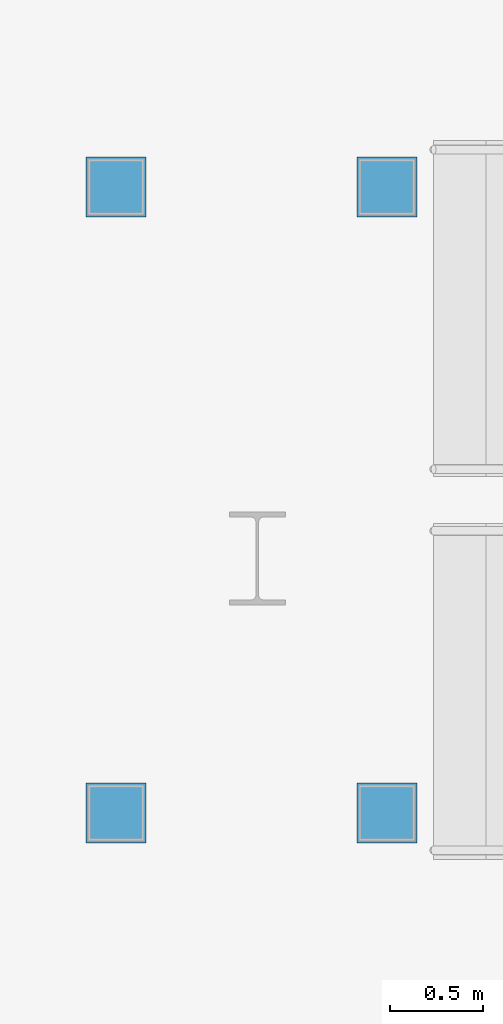
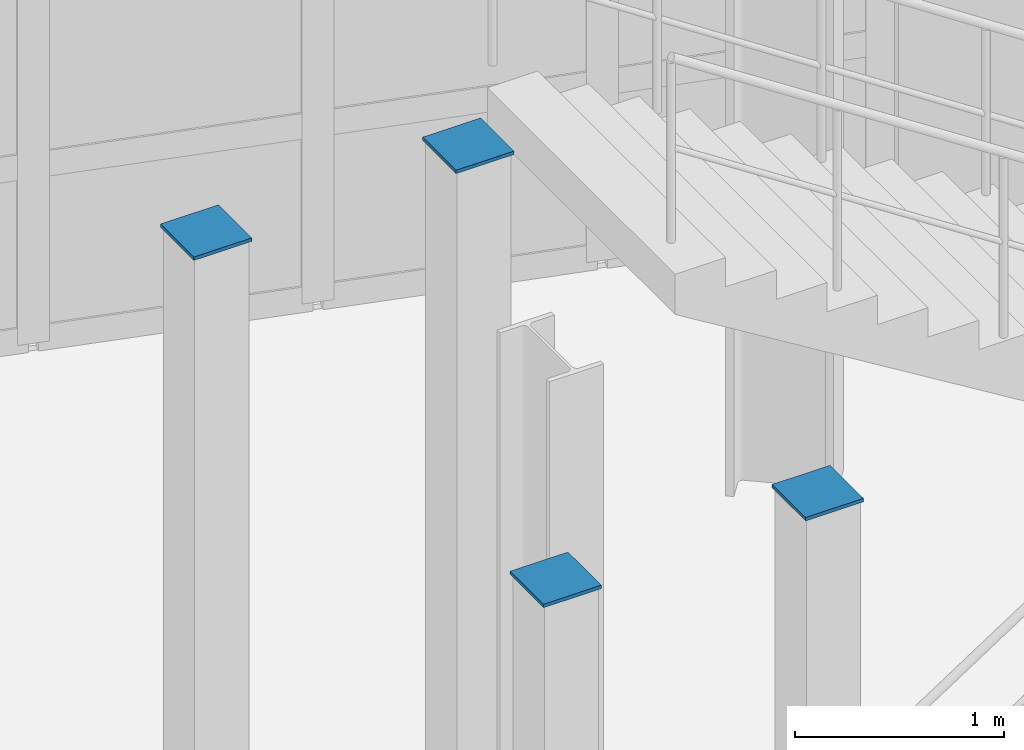
# One storey, part 76 of 84: 4 discrete accessories.
"""IFC4 building model written with IfcOpenShell, lengths in metres."""

from ifc_helpers import new_model, si_unit, direction, frame, origin, origin_2d, place, context, subcontext, project, spatial, rectangle, extrude, material, type_object, element, save


model = new_model("IFC4")

# Units and contexts
model_context = context("Model", 3, precision=1e-05, world=origin(), true_north=direction((0.0, 1.0)))
body_context = subcontext(model_context, "Body", "Model", "MODEL_VIEW")
ifc_project = project(units=[si_unit("LENGTHUNIT", "METRE"), si_unit("AREAUNIT", "SQUARE_METRE"), si_unit("VOLUMEUNIT", "CUBIC_METRE"), si_unit("PLANEANGLEUNIT", "RADIAN"), si_unit("MASSUNIT", "GRAM", prefix="KILO")], contexts=[model_context])

# Site, building, storey
site_placement = place(None, origin())
site = spatial("IfcSite", under=ifc_project, at=site_placement, CompositionType="ELEMENT")
building_placement = place(site_placement, origin())
building = spatial("IfcBuilding", under=site, at=building_placement, Name="Glasvene Arena", CompositionType="ELEMENT")
storey_placement = place(building_placement, frame((0.0, 0.0, 10.199951171875)))
storey = spatial("IfcBuildingStorey", under=building, at=storey_placement, Name="L02", CompositionType="ELEMENT", Elevation=10.199951171875)

# Discrete accessories
ifc_material = material(Name="Steel S355J2", Category="steel")
discrete_accessory_type = type_object("IfcDiscreteAccessoryType", Name="ACC-CAP-SHS320", PredefinedType="USERDEFINED", material=ifc_material)
for number, where, z_axis, x_axis, name in (
    (1, (116.800048828125, 103.64990234375, 4.51806640625), (0.0, 0.0, 1.0), (1.0, 0.0, 0.0), "Vomitory column cap plate VOM-08"),
    (2, (116.800048828125, 107.0, 4.51806640625), (0.0, 0.0, 1.0), (1.0, 0.0, 0.0), "Vomitory column cap plate VOM-08"),
    (3, (118.25, 103.64990234375, 4.51806640625), (0.0, 0.0, 1.0), (1.0, 0.0, 0.0), "Vomitory column cap plate VOM-08"),
    (4, (118.25, 107.0, 4.51806640625), (0.0, 0.0, 1.0), (1.0, 0.0, 0.0), "Vomitory column cap plate VOM-08"),
):
    element("IfcDiscreteAccessory", number, at=place(storey_placement, frame(where, z_axis=z_axis, x_axis=x_axis)), inside=storey, type_object=discrete_accessory_type, Name=name, ObjectType="CAP PLATE", PredefinedType="USERDEFINED", context=body_context, shape_type="SweptSolid", body=[
        extrude(rectangle(XDim=0.320068359375, YDim=0.320068359375, at=origin_2d()), origin(), (0.0, 0.0, 1.0), 0.02001953125),
    ])

save(model, "model.ifc")
